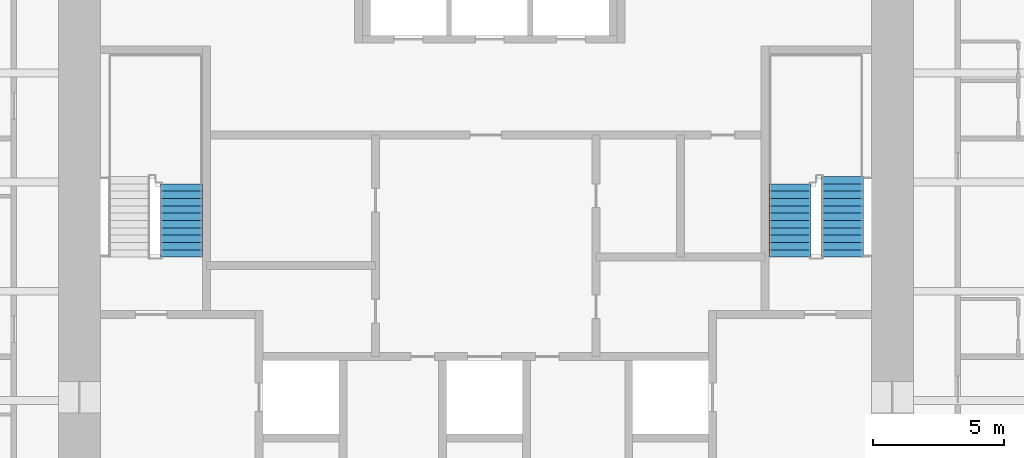
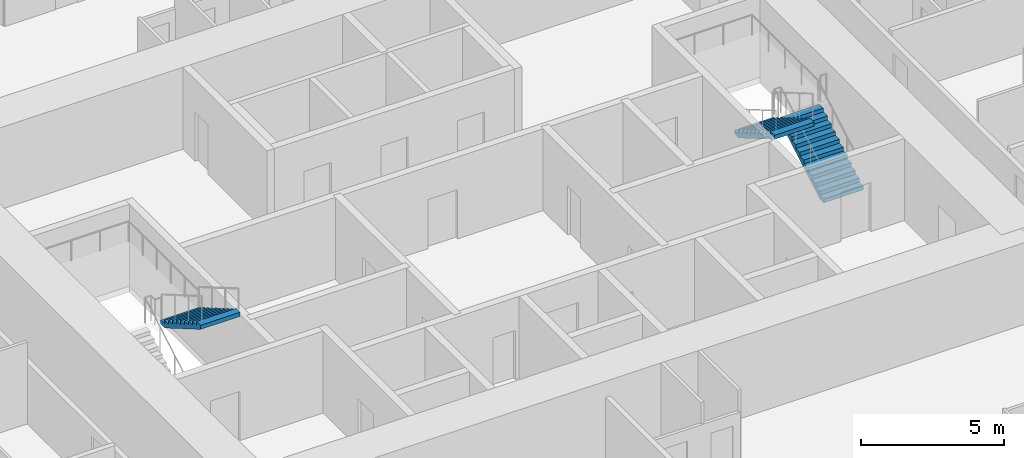
# One storey, part 12 of 13: 3 stair flights, 2 elements without a shape of their own.
"""IFC4 building model written with IfcOpenShell, lengths in metres."""

from ifc_helpers import new_model, si_unit, direction, frame, origin, place, context, subcontext, project, spatial, polyline, outline, extrude, material, type_object, element, aggregate, save


model = new_model("IFC4")

# Units and contexts
model_context = context("Model", 3, precision=1e-05, world=origin(), true_north=direction((0.0, 1.0)))
body_context = subcontext(model_context, "Body", "Model", "MODEL_VIEW")
ifc_project = project(units=[si_unit("LENGTHUNIT", "METRE"), si_unit("AREAUNIT", "SQUARE_METRE"), si_unit("VOLUMEUNIT", "CUBIC_METRE"), si_unit("PLANEANGLEUNIT", "RADIAN"), si_unit("MASSUNIT", "GRAM", prefix="KILO")], contexts=[model_context])

# Site, building, storey
site_placement = place(None, origin())
site = spatial("IfcSite", under=ifc_project, at=site_placement, CompositionType="ELEMENT")
building_placement = place(site_placement, origin())
building = spatial("IfcBuilding", under=site, at=building_placement, Name="Khuree Lantern Residences", CompositionType="ELEMENT")
storey_placement = place(building_placement, frame((0.0, 0.0, 270.75)))
storey = spatial("IfcBuildingStorey", under=building, at=storey_placement, Name="L68", CompositionType="ELEMENT", Elevation=270.75)

# Stair, stair flight
ifc_material = material(Name="Concrete C40/50", Category="concrete")
stair_type = type_object("IfcStairType", Name="STAIR ST1 HALF TURN 3600", PredefinedType="HALF_TURN_STAIR", material=ifc_material)
stair_1_placement = place(storey_placement, origin())
stair_1 = element("IfcStair", 1, at=stair_1_placement, inside=storey, type_object=stair_type, Name="Stair ST1", PredefinedType="HALF_TURN_STAIR")
stair_flight_type = type_object("IfcStairFlightType", Name="STAIR FLIGHT SF1 1600", PredefinedType="STRAIGHT", material=ifc_material)
stair_flight_1_placement = place(storey_placement, frame((-11.60009765625, -0.06005859375, 1.95654296875), z_axis=(0.0, 0.0, 1.0), x_axis=(0.0, -1.0, 0.0)))
stair_flight_1 = element("IfcStairFlight", 2, at=stair_flight_1_placement, type_object=stair_flight_type, Name="ST1 flight 2", NumberOfRisers=11, NumberOfTreads=10, PredefinedType="STRAIGHT", RiserHeight=0.163043478, TreadLength=0.28, context=body_context, shape_type="SweptSolid", body=[
    extrude(outline(polyline([(0.0, 0.0), (0.0, 0.1630859375), (0.280029296875, 0.1630859375), (0.280029296875, 0.326171875), (0.56005859375, 0.326171875), (0.56005859375, 0.489013671875), (0.840087890625, 0.489013671875), (0.840087890625, 0.652099609375), (1.1201171875, 0.652099609375), (1.1201171875, 0.815185546875), (1.39990234375, 0.815185546875), (1.39990234375, 0.978271484375), (1.679931640625, 0.978271484375), (1.679931640625, 1.141357421875), (1.9599609375, 1.141357421875), (1.9599609375, 1.304443359375), (2.239990234375, 1.304443359375), (2.239990234375, 1.46728515625), (2.52001953125, 1.46728515625), (2.52001953125, 1.63037109375), (2.800048828125, 1.63037109375), (2.800048828125, 1.79345703125), (2.800048828125, 1.45703125), (0.2978515625, 0.0), (0.0, 0.0)])), frame((0.0, 0.800048828125, 0.0), z_axis=(0.0, -1.0, 0.0), x_axis=(1.0, 0.0, 0.0)), (0.0, 0.0, 1.0), 1.60009765625),
])
aggregate(stair_1, [stair_flight_1])

# Stair, stair flights
stair_2_placement = place(storey_placement, origin())
stair_2 = element("IfcStair", 3, at=stair_2_placement, inside=storey, type_object=stair_type, Name="Stair ST2", PredefinedType="HALF_TURN_STAIR")
stair_flight_2_placement = place(storey_placement, frame((13.60009765625, -2.860107421875, 0.0), z_axis=(0.0, 0.0, 1.0), x_axis=(0.0, 1.0, 0.0)))
stair_flight_2 = element("IfcStairFlight", 4, at=stair_flight_2_placement, type_object=stair_flight_type, Name="ST2 flight 1", NumberOfRisers=12, NumberOfTreads=11, PredefinedType="STRAIGHT", RiserHeight=0.163043478, TreadLength=0.28, context=body_context, shape_type="SweptSolid", body=[
    extrude(outline(polyline([(0.0, 0.0), (0.0, 0.1630859375), (0.280029296875, 0.1630859375), (0.280029296875, 0.326171875), (0.56005859375, 0.326171875), (0.56005859375, 0.489013671875), (0.840087890625, 0.489013671875), (0.840087890625, 0.652099609375), (1.1201171875, 0.652099609375), (1.1201171875, 0.815185546875), (1.39990234375, 0.815185546875), (1.39990234375, 0.978271484375), (1.679931640625, 0.978271484375), (1.679931640625, 1.141357421875), (1.9599609375, 1.141357421875), (1.9599609375, 1.304443359375), (2.239990234375, 1.304443359375), (2.239990234375, 1.46728515625), (2.52001953125, 1.46728515625), (2.52001953125, 1.63037109375), (2.800048828125, 1.63037109375), (2.800048828125, 1.79345703125), (3.080078125, 1.79345703125), (3.080078125, 1.95654296875), (3.080078125, 1.6201171875), (0.2978515625, 0.0), (0.0, 0.0)])), frame((0.0, 0.800048828125, 0.0), z_axis=(0.0, -1.0, 0.0), x_axis=(1.0, 0.0, 0.0)), (0.0, 0.0, 1.0), 1.60009765625),
])
stair_flight_3_placement = place(storey_placement, frame((11.60009765625, -0.06005859375, 1.95654296875), z_axis=(0.0, 0.0, 1.0), x_axis=(0.0, -1.0, 0.0)))
stair_flight_3 = element("IfcStairFlight", 5, at=stair_flight_3_placement, type_object=stair_flight_type, Name="ST2 flight 2", NumberOfRisers=11, NumberOfTreads=10, PredefinedType="STRAIGHT", RiserHeight=0.163043478, TreadLength=0.28, context=body_context, shape_type="SweptSolid", body=[
    extrude(outline(polyline([(0.0, 0.0), (0.0, 0.1630859375), (0.280029296875, 0.1630859375), (0.280029296875, 0.326171875), (0.56005859375, 0.326171875), (0.56005859375, 0.489013671875), (0.840087890625, 0.489013671875), (0.840087890625, 0.652099609375), (1.1201171875, 0.652099609375), (1.1201171875, 0.815185546875), (1.39990234375, 0.815185546875), (1.39990234375, 0.978271484375), (1.679931640625, 0.978271484375), (1.679931640625, 1.141357421875), (1.9599609375, 1.141357421875), (1.9599609375, 1.304443359375), (2.239990234375, 1.304443359375), (2.239990234375, 1.46728515625), (2.52001953125, 1.46728515625), (2.52001953125, 1.63037109375), (2.800048828125, 1.63037109375), (2.800048828125, 1.79345703125), (2.800048828125, 1.45703125), (0.2978515625, 0.0), (0.0, 0.0)])), frame((0.0, 0.800048828125, 0.0), z_axis=(0.0, -1.0, 0.0), x_axis=(1.0, 0.0, 0.0)), (0.0, 0.0, 1.0), 1.60009765625),
])
aggregate(stair_2, [stair_flight_2, stair_flight_3])

save(model, "model.ifc")
